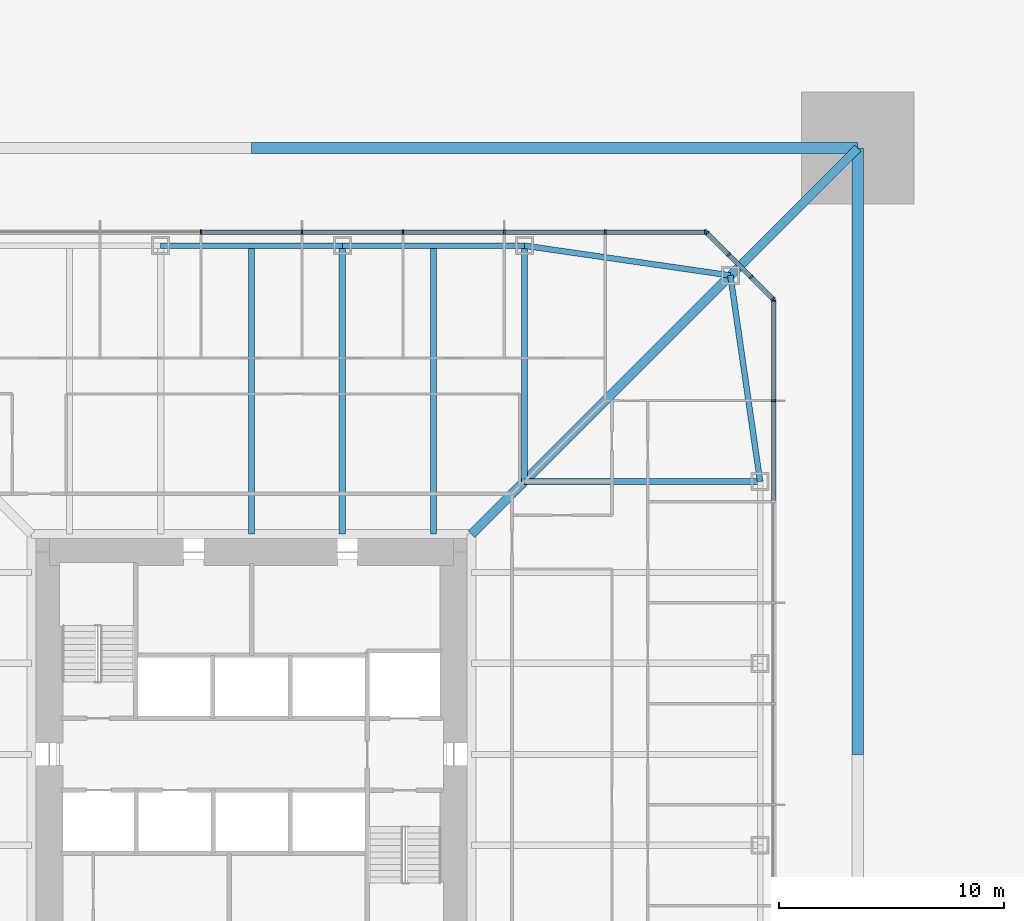
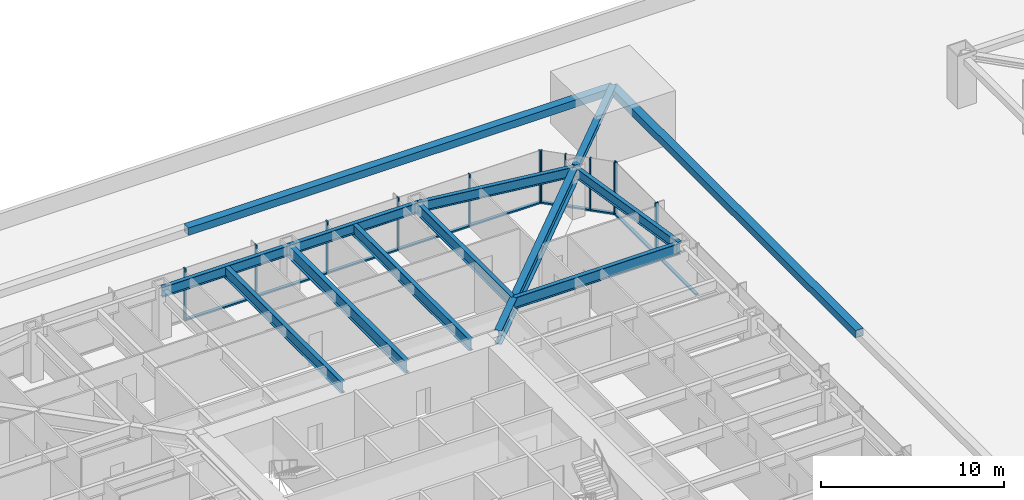
# One storey, part 8 of 31: 25 members, 10 beams, 3 elements without a shape of their own.
"""IFC4 building model written with IfcOpenShell, lengths in metres."""

from ifc_helpers import new_model, si_unit, direction, frame, origin, origin_2d, place, context, subcontext, project, spatial, rectangle, hollow_rectangle, i_section, extrude, material, material_profile, profile_set, type_object, element, aggregate, save


model = new_model("IFC4")

# Units and contexts
model_context = context("Model", 3, precision=1e-05, world=origin(), true_north=direction((0.0, 1.0)))
body_context = subcontext(model_context, "Body", "Model", "MODEL_VIEW")
ifc_project = project(units=[si_unit("LENGTHUNIT", "METRE"), si_unit("AREAUNIT", "SQUARE_METRE"), si_unit("VOLUMEUNIT", "CUBIC_METRE"), si_unit("PLANEANGLEUNIT", "RADIAN"), si_unit("MASSUNIT", "GRAM", prefix="KILO")], contexts=[model_context])

# Site, building, storey
site_placement = place(None, origin())
site = spatial("IfcSite", under=ifc_project, at=site_placement, CompositionType="ELEMENT")
building_placement = place(site_placement, origin())
building = spatial("IfcBuilding", under=site, at=building_placement, Name="Iwan Alto Co-Living Towers", CompositionType="ELEMENT")
storey_placement = place(building_placement, frame((0.0, 0.0, 15.0)))
storey = spatial("IfcBuildingStorey", under=building, at=storey_placement, Name="L03", CompositionType="ELEMENT", Elevation=15.0)

# Curtain wall, members
ifc_material_1 = material(Name="Bronze aluminium unitised frame", Category="aluminium")
curtain_wall_type_1 = type_object("IfcCurtainWallType", Name="CURTAIN WALL CW-A", PredefinedType="NOTDEFINED", material=ifc_material_1)
curtain_wall_1_placement = place(storey_placement, origin())
curtain_wall_1 = element("IfcCurtainWall", 1, at=curtain_wall_1_placement, inside=storey, type_object=curtain_wall_type_1, Name="T1 curtain wall E L03", PredefinedType="NOTDEFINED")
ifc_material_2 = material(Name="Aluminium 6063-T6 bronze anodised", Category="aluminium")
ifc_material_profile_1 = material_profile(ifc_material_2, rectangle(XDim=0.199951171875, YDim=0.080078125, at=origin_2d()), Name="AL 80X200")
ifc_profile_set_1 = profile_set([ifc_material_profile_1], Name="Aluminium 6063-T6 bronze anodised")
member_type_1 = type_object("IfcMemberType", Name="CW-A MULLION 80X200", PredefinedType="MULLION", material=ifc_profile_set_1)
member_1_placement = place(storey_placement, frame((23.25, 15.75, 0.0), z_axis=(0.0, 0.0, 1.0), x_axis=(-1.0, 0.0, 0.0)))
member_1 = element("IfcMember", 2, at=member_1_placement, type_object=member_type_1, Name="CW-A mullion 9", PredefinedType="MULLION", context=body_context, shape_type="SweptSolid", body=[
    extrude(rectangle(XDim=0.199951171875, YDim=0.080078125, at=origin_2d()), origin(), (0.0, 0.0, 1.0), 3.5),
])
member_2_placement = place(storey_placement, frame((23.25, 20.2099609375, 0.0), z_axis=(0.0, 0.0, 1.0), x_axis=(-1.0, 0.0, 0.0)))
member_2 = element("IfcMember", 3, at=member_2_placement, type_object=member_type_1, Name="CW-A mullion 10", PredefinedType="MULLION", context=body_context, shape_type="SweptSolid", body=[
    extrude(rectangle(XDim=0.199951171875, YDim=0.080078125, at=origin_2d()), origin(), (0.0, 0.0, 1.0), 3.5),
])

curtain_wall_2_placement = place(storey_placement, origin())
curtain_wall_2 = element("IfcCurtainWall", 4, at=curtain_wall_2_placement, inside=storey, type_object=curtain_wall_type_1, Name="T1 curtain wall N L03", PredefinedType="NOTDEFINED")
member_3_placement = place(storey_placement, frame((20.2099609375, 23.25, 0.0), z_axis=(0.0, 0.0, 1.0), x_axis=(0.0, -1.0, 0.0)))
member_3 = element("IfcMember", 5, at=member_3_placement, type_object=member_type_1, Name="CW-A mullion 1", PredefinedType="MULLION", context=body_context, shape_type="SweptSolid", body=[
    extrude(rectangle(XDim=0.199951171875, YDim=0.080078125, at=origin_2d()), origin(), (0.0, 0.0, 1.0), 3.5),
])
member_4_placement = place(storey_placement, frame((15.75, 23.25, 0.0), z_axis=(0.0, 0.0, 1.0), x_axis=(0.0, -1.0, 0.0)))
member_4 = element("IfcMember", 6, at=member_4_placement, type_object=member_type_1, Name="CW-A mullion 2", PredefinedType="MULLION", context=body_context, shape_type="SweptSolid", body=[
    extrude(rectangle(XDim=0.199951171875, YDim=0.080078125, at=origin_2d()), origin(), (0.0, 0.0, 1.0), 3.5),
])
member_5_placement = place(storey_placement, frame((11.25, 23.25, 0.0), z_axis=(0.0, 0.0, 1.0), x_axis=(0.0, -1.0, 0.0)))
member_5 = element("IfcMember", 7, at=member_5_placement, type_object=member_type_1, Name="CW-A mullion 3", PredefinedType="MULLION", context=body_context, shape_type="SweptSolid", body=[
    extrude(rectangle(XDim=0.199951171875, YDim=0.080078125, at=origin_2d()), origin(), (0.0, 0.0, 1.0), 3.5),
])
member_6_placement = place(storey_placement, frame((6.75, 23.25, 0.0), z_axis=(0.0, 0.0, 1.0), x_axis=(0.0, -1.0, 0.0)))
member_6 = element("IfcMember", 8, at=member_6_placement, type_object=member_type_1, Name="CW-A mullion 4", PredefinedType="MULLION", context=body_context, shape_type="SweptSolid", body=[
    extrude(rectangle(XDim=0.199951171875, YDim=0.080078125, at=origin_2d()), origin(), (0.0, 0.0, 1.0), 3.5),
])
member_7_placement = place(storey_placement, frame((2.25, 23.25, 0.0), z_axis=(0.0, 0.0, 1.0), x_axis=(0.0, -1.0, 0.0)))
member_7 = element("IfcMember", 9, at=member_7_placement, type_object=member_type_1, Name="CW-A mullion 5", PredefinedType="MULLION", context=body_context, shape_type="SweptSolid", body=[
    extrude(rectangle(XDim=0.199951171875, YDim=0.080078125, at=origin_2d()), origin(), (0.0, 0.0, 1.0), 3.5),
])
member_8_placement = place(storey_placement, frame((-2.25, 23.25, 0.0), z_axis=(0.0, 0.0, 1.0), x_axis=(0.0, -1.0, 0.0)))
member_8 = element("IfcMember", 10, at=member_8_placement, type_object=member_type_1, Name="CW-A mullion 6", PredefinedType="MULLION", context=body_context, shape_type="SweptSolid", body=[
    extrude(rectangle(XDim=0.199951171875, YDim=0.080078125, at=origin_2d()), origin(), (0.0, 0.0, 1.0), 3.5),
])

# Member
ifc_material_3 = material(Name="Aluminium 6063-T6 bronze anodised", Category="aluminium")
ifc_material_profile_2 = material_profile(ifc_material_3, rectangle(XDim=0.199951171875, YDim=0.10009765625, at=origin_2d()), Name="AL 200X100")
ifc_profile_set_2 = profile_set([ifc_material_profile_2], Name="Aluminium 6063-T6 bronze anodised")
member_type_2 = type_object("IfcMemberType", Name="CW-A TRANSOM 200X100", PredefinedType="USERDEFINED", material=ifc_profile_set_2)
member_9_placement = place(storey_placement, frame((23.25, 11.2900390625, 0.050048828125), z_axis=(0.0, 1.0, 0.0), x_axis=(-1.0, 0.0, 0.0)))
member_9 = element("IfcMember", 11, at=member_9_placement, type_object=member_type_2, Name="CW-A transom 8.1", ObjectType="TRANSOM", PredefinedType="USERDEFINED", context=body_context, shape_type="SweptSolid", body=[
    extrude(rectangle(XDim=0.199951171875, YDim=0.10009765625, at=origin_2d()), origin(), (0.0, 0.0, 1.0), 4.419921875),
])

member_10_placement = place(storey_placement, frame((23.25, 15.7900390625, 0.050048828125), z_axis=(0.0, 1.0, 0.0), x_axis=(-1.0, 0.0, 0.0)))
member_10 = element("IfcMember", 12, at=member_10_placement, type_object=member_type_2, Name="CW-A transom 9.1", ObjectType="TRANSOM", PredefinedType="USERDEFINED", context=body_context, shape_type="SweptSolid", body=[
    extrude(rectangle(XDim=0.199951171875, YDim=0.10009765625, at=origin_2d()), origin(), (0.0, 0.0, 1.0), 4.3798828125),
])

aggregate(curtain_wall_1, [member_1, member_2, member_9, member_10])

member_11_placement = place(storey_placement, frame((20.169921875, 23.25, 0.050048828125), z_axis=(-1.0, 0.0, 0.0), x_axis=(0.0, -1.0, 0.0)))
member_11 = element("IfcMember", 13, at=member_11_placement, type_object=member_type_2, Name="CW-A transom 1.1", ObjectType="TRANSOM", PredefinedType="USERDEFINED", context=body_context, shape_type="SweptSolid", body=[
    extrude(rectangle(XDim=0.199951171875, YDim=0.10009765625, at=origin_2d()), origin(), (0.0, 0.0, 1.0), 4.3798828125),
])

member_12_placement = place(storey_placement, frame((15.7099609375, 23.25, 0.050048828125), z_axis=(-1.0, 0.0, 0.0), x_axis=(0.0, -1.0, 0.0)))
member_12 = element("IfcMember", 14, at=member_12_placement, type_object=member_type_2, Name="CW-A transom 2.1", ObjectType="TRANSOM", PredefinedType="USERDEFINED", context=body_context, shape_type="SweptSolid", body=[
    extrude(rectangle(XDim=0.199951171875, YDim=0.10009765625, at=origin_2d()), origin(), (0.0, 0.0, 1.0), 4.419921875),
])

member_13_placement = place(storey_placement, frame((11.2099609375, 23.25, 0.050048828125), z_axis=(-1.0, 0.0, 0.0), x_axis=(0.0, -1.0, 0.0)))
member_13 = element("IfcMember", 15, at=member_13_placement, type_object=member_type_2, Name="CW-A transom 3.1", ObjectType="TRANSOM", PredefinedType="USERDEFINED", context=body_context, shape_type="SweptSolid", body=[
    extrude(rectangle(XDim=0.199951171875, YDim=0.10009765625, at=origin_2d()), origin(), (0.0, 0.0, 1.0), 4.419921875),
])

member_14_placement = place(storey_placement, frame((6.7099609375, 23.25, 0.050048828125), z_axis=(-1.0, 0.0, 0.0), x_axis=(0.0, -1.0, 0.0)))
member_14 = element("IfcMember", 16, at=member_14_placement, type_object=member_type_2, Name="CW-A transom 4.1", ObjectType="TRANSOM", PredefinedType="USERDEFINED", context=body_context, shape_type="SweptSolid", body=[
    extrude(rectangle(XDim=0.199951171875, YDim=0.10009765625, at=origin_2d()), origin(), (0.0, 0.0, 1.0), 4.419921875),
])

member_15_placement = place(storey_placement, frame((2.2099609375, 23.25, 0.050048828125), z_axis=(-1.0, 0.0, 0.0), x_axis=(0.0, -1.0, 0.0)))
member_15 = element("IfcMember", 17, at=member_15_placement, type_object=member_type_2, Name="CW-A transom 5.1", ObjectType="TRANSOM", PredefinedType="USERDEFINED", context=body_context, shape_type="SweptSolid", body=[
    extrude(rectangle(XDim=0.199951171875, YDim=0.10009765625, at=origin_2d()), origin(), (0.0, 0.0, 1.0), 4.419921875),
])

aggregate(curtain_wall_2, [member_3, member_4, member_5, member_6, member_7, member_8, member_11, member_12, member_13, member_14, member_15])

# Curtain wall, members
ifc_material_4 = material(Name="Bronze aluminium unitised frame", Category="aluminium")
curtain_wall_type_2 = type_object("IfcCurtainWallType", Name="CURTAIN WALL CW-B", PredefinedType="NOTDEFINED", material=ifc_material_4)
curtain_wall_3_placement = place(storey_placement, origin())
curtain_wall_3 = element("IfcCurtainWall", 18, at=curtain_wall_3_placement, inside=storey, type_object=curtain_wall_type_2, Name="T1 chamfer curtain wall NE L03", PredefinedType="NOTDEFINED")
ifc_material_5 = material(Name="Aluminium 6063-T6 bronze anodised", Category="aluminium")
ifc_material_profile_3 = material_profile(ifc_material_5, rectangle(XDim=0.199951171875, YDim=0.080078125, at=origin_2d()), Name="AL 80X200")
ifc_profile_set_3 = profile_set([ifc_material_profile_3], Name="Aluminium 6063-T6 bronze anodised")
member_type_3 = type_object("IfcMemberType", Name="CW-B MULLION 80X200", PredefinedType="MULLION", material=ifc_profile_set_3)
member_16_placement = place(storey_placement, frame((23.2216796875, 20.2783203125, 0.0), z_axis=(0.0, 0.0, 1.0), x_axis=(-0.707106781187, -0.707106781187, 0.0)))
member_16 = element("IfcMember", 19, at=member_16_placement, type_object=member_type_3, Name="CW-B mullion 1", PredefinedType="MULLION", context=body_context, shape_type="SweptSolid", body=[
    extrude(rectangle(XDim=0.199951171875, YDim=0.080078125, at=origin_2d()), origin(), (0.0, 0.0, 1.0), 3.5),
])
member_17_placement = place(storey_placement, frame((22.25, 21.25, 0.0), z_axis=(0.0, 0.0, 1.0), x_axis=(-0.707106781187, -0.707106781187, 0.0)))
member_17 = element("IfcMember", 20, at=member_17_placement, type_object=member_type_3, Name="CW-B mullion 2", PredefinedType="MULLION", context=body_context, shape_type="SweptSolid", body=[
    extrude(rectangle(XDim=0.199951171875, YDim=0.080078125, at=origin_2d()), origin(), (0.0, 0.0, 1.0), 3.5),
])
member_18_placement = place(storey_placement, frame((21.25, 22.25, 0.0), z_axis=(0.0, 0.0, 1.0), x_axis=(-0.707106781187, -0.707106781187, 0.0)))
member_18 = element("IfcMember", 21, at=member_18_placement, type_object=member_type_3, Name="CW-B mullion 3", PredefinedType="MULLION", context=body_context, shape_type="SweptSolid", body=[
    extrude(rectangle(XDim=0.199951171875, YDim=0.080078125, at=origin_2d()), origin(), (0.0, 0.0, 1.0), 3.5),
])
member_19_placement = place(storey_placement, frame((20.2783203125, 23.2216796875, 0.0), z_axis=(0.0, 0.0, 1.0), x_axis=(-0.707106781187, -0.707106781187, 0.0)))
member_19 = element("IfcMember", 22, at=member_19_placement, type_object=member_type_3, Name="CW-B mullion 4", PredefinedType="MULLION", context=body_context, shape_type="SweptSolid", body=[
    extrude(rectangle(XDim=0.199951171875, YDim=0.080078125, at=origin_2d()), origin(), (0.0, 0.0, 1.0), 3.5),
])
ifc_material_6 = material(Name="Aluminium 6063-T6 bronze anodised", Category="aluminium")
ifc_material_profile_4 = material_profile(ifc_material_6, rectangle(XDim=0.199951171875, YDim=0.10009765625, at=origin_2d()), Name="AL 200X100")
ifc_profile_set_4 = profile_set([ifc_material_profile_4], Name="Aluminium 6063-T6 bronze anodised")
member_type_4 = type_object("IfcMemberType", Name="CW-B TRANSOM 200X100", PredefinedType="USERDEFINED", material=ifc_profile_set_4)
member_20_placement = place(storey_placement, frame((23.193359375, 20.306640625, 0.050048828125), z_axis=(-0.707106781187, 0.707106781187, 0.0), x_axis=(-0.707106781187, -0.707106781187, 0.0)))
member_20 = element("IfcMember", 23, at=member_20_placement, type_object=member_type_4, Name="CW-B transom 1.1", ObjectType="TRANSOM", PredefinedType="USERDEFINED", context=body_context, shape_type="SweptSolid", body=[
    extrude(rectangle(XDim=0.199951171875, YDim=0.10009765625, at=origin_2d()), origin(), (0.0, 0.0, 1.0), 1.2939453125),
])
member_21_placement = place(storey_placement, frame((22.2216796875, 21.2783203125, 0.050048828125), z_axis=(-0.707106781187, 0.707106781187, 0.0), x_axis=(-0.707106781187, -0.707106781187, 0.0)))
member_21 = element("IfcMember", 24, at=member_21_placement, type_object=member_type_4, Name="CW-B transom 2.1", ObjectType="TRANSOM", PredefinedType="USERDEFINED", context=body_context, shape_type="SweptSolid", body=[
    extrude(rectangle(XDim=0.199951171875, YDim=0.10009765625, at=origin_2d()), origin(), (0.0, 0.0, 1.0), 1.334228515625),
])
member_22_placement = place(storey_placement, frame((21.2216796875, 22.2783203125, 0.050048828125), z_axis=(-0.707106781187, 0.707106781187, 0.0), x_axis=(-0.707106781187, -0.707106781187, 0.0)))
member_22 = element("IfcMember", 25, at=member_22_placement, type_object=member_type_4, Name="CW-B transom 3.1", ObjectType="TRANSOM", PredefinedType="USERDEFINED", context=body_context, shape_type="SweptSolid", body=[
    extrude(rectangle(XDim=0.199951171875, YDim=0.10009765625, at=origin_2d()), origin(), (0.0, 0.0, 1.0), 1.2939453125),
])
aggregate(curtain_wall_3, [member_16, member_17, member_18, member_19, member_20, member_21, member_22])

# Beams
ifc_material_7 = material(Name="Steel ASTM A992 Gr 50", Category="steel")
ifc_material_profile_5 = material_profile(ifc_material_7, i_section(OverallWidth=0.419189453125, OverallDepth=0.927001953125, WebThickness=0.019287109375, FlangeThickness=0.031982421875, at=origin_2d()), Name="W36X231")
ifc_profile_set_5 = profile_set([ifc_material_profile_5], Name="Steel ASTM A992 Gr 50")
beam_type_1 = type_object("IfcBeamType", Name="T1 CORNER GIRDER W36X231", PredefinedType="BEAM", material=ifc_profile_set_5)
beam_1_placement = place(storey_placement, frame((21.32568359375, 21.32568359375, 2.806396484375), z_axis=(-0.707106781187, -0.707106781187, 0.0), x_axis=(0.707106781187, -0.707106781187, 0.0)))
element("IfcBeam", 26, at=beam_1_placement, inside=storey, type_object=beam_type_1, Name="T1 corner girder CNE L04", PredefinedType="BEAM", context=body_context, shape_type="SweptSolid", body=[
    extrude(i_section(OverallWidth=0.419189453125, OverallDepth=0.927001953125, WebThickness=0.019287109375, FlangeThickness=0.031982421875, at=origin_2d()), origin(), (0.0, 0.0, 1.0), 16.296875),
])
ifc_material_8 = material(Name="Steel ASTM A992 Gr 50", Category="steel")
ifc_material_profile_6 = material_profile(ifc_material_8, i_section(OverallWidth=0.25390625, OverallDepth=0.683349609375, WebThickness=0.012451171875, FlangeThickness=0.018798828125, at=origin_2d()), Name="W27X94")
ifc_profile_set_6 = profile_set([ifc_material_profile_6], Name="Steel ASTM A992 Gr 50")
beam_type_2 = type_object("IfcBeamType", Name="T1 EDGE BEAM W27X94", PredefinedType="BEAM", material=ifc_profile_set_6)
for number, where, z_axis, x_axis, name in (
    (27, (22.64990234375, 12.14990234375, 2.928466796875), (-0.142836940589, 0.989746234347, 0.0), (-0.989746234347, -0.142836940589, 0.0), "T1 edge beam E4 L04"),
    (28, (21.32568359375, 21.32568359375, 2.928466796875), (-0.989746234347, 0.142836940589, 0.0), (-0.142836940589, -0.989746234347, 0.0), "T1 edge beam CNE L04"),
):
    element("IfcBeam", number, at=place(storey_placement, frame(where, z_axis=z_axis, x_axis=x_axis)), inside=storey, type_object=beam_type_2, Name=name, PredefinedType="BEAM", context=body_context, shape_type="SweptSolid", body=[
        extrude(i_section(OverallWidth=0.25390625, OverallDepth=0.683349609375, WebThickness=0.012451171875, FlangeThickness=0.018798828125, at=origin_2d()), origin(), (0.0, 0.0, 1.0), 9.270751953125),
    ])
beam_2_placement = place(storey_placement, frame((12.14990234375, 22.64990234375, 2.928466796875), z_axis=(-1.0, 0.0, 0.0), x_axis=(0.0, -1.0, 0.0)))
element("IfcBeam", 29, at=beam_2_placement, inside=storey, type_object=beam_type_2, Name="T1 edge beam N1 L04", PredefinedType="BEAM", context=body_context, shape_type="SweptSolid", body=[
    extrude(i_section(OverallWidth=0.25390625, OverallDepth=0.683349609375, WebThickness=0.012451171875, FlangeThickness=0.018798828125, at=origin_2d()), origin(), (0.0, 0.0, 1.0), 8.099853515625),
])
beam_3_placement = place(storey_placement, frame((4.050048828125, 22.64990234375, 2.928466796875), z_axis=(-1.0, 0.0, 0.0), x_axis=(0.0, -1.0, 0.0)))
element("IfcBeam", 30, at=beam_3_placement, inside=storey, type_object=beam_type_2, Name="T1 edge beam N2 L04", PredefinedType="BEAM", context=body_context, shape_type="SweptSolid", body=[
    extrude(i_section(OverallWidth=0.25390625, OverallDepth=0.683349609375, WebThickness=0.012451171875, FlangeThickness=0.018798828125, at=origin_2d()), origin(), (0.0, 0.0, 1.0), 8.10009765625),
])

# Members
ifc_material_9 = material(Name="Steel ASTM A992 Gr 50", Category="steel")
ifc_material_profile_7 = material_profile(ifc_material_9, i_section(OverallWidth=0.393798828125, OverallDepth=0.3759765625, WebThickness=0.017333984375, FlangeThickness=0.027587890625, at=origin_2d()), Name="W14X145")
ifc_profile_set_7 = profile_set([ifc_material_profile_7], Name="Steel ASTM A992 Gr 50")
member_type_5 = type_object("IfcMemberType", Name="T1 MEGA COLUMN FLOOR TIE W14X145", PredefinedType="STRUT", material=ifc_profile_set_7)
member_23_placement = place(storey_placement, frame((27.0, 27.0, 3.08203125), z_axis=(-0.707106781187, -0.707106781187, 0.0), x_axis=(0.707106781187, -0.707106781187, 0.0)))
element("IfcMember", 31, at=member_23_placement, inside=storey, type_object=member_type_5, Name="T1 mega column floor tie NE L04", PredefinedType="STRUT", context=body_context, shape_type="SweptSolid", body=[
    extrude(i_section(OverallWidth=0.393798828125, OverallDepth=0.3759765625, WebThickness=0.017333984375, FlangeThickness=0.027587890625, at=origin_2d()), origin(), (0.0, 0.0, 1.0), 8.024658203125),
])
ifc_material_10 = material(Name="Steel ASTM A572 Gr 50", Category="steel")
ifc_material_profile_8 = material_profile(ifc_material_10, hollow_rectangle(XDim=0.5, YDim=0.5, WallThickness=0.031982421875, at=origin_2d()), Name="BOX 500X500X32")
ifc_profile_set_8 = profile_set([ifc_material_profile_8], Name="Steel ASTM A572 Gr 50")
member_type_6 = type_object("IfcMemberType", Name="T1 MEGA TIE BOX 500X500X32", PredefinedType="STRUT", material=ifc_profile_set_8)
for number, where, z_axis, x_axis, name in (
    (32, (27.0, 0.0, 3.0), (0.0, 1.0, 0.0), (-1.0, 0.0, 0.0), "T1 mega tie Z1A E 2"),
    (33, (27.0, 27.0, 3.0), (-1.0, 0.0, 0.0), (0.0, -1.0, 0.0), "T1 mega tie Z1A N 1"),
):
    element("IfcMember", number, at=place(storey_placement, frame(where, z_axis=z_axis, x_axis=x_axis)), inside=storey, type_object=member_type_6, Name=name, PredefinedType="STRUT", context=body_context, shape_type="SweptSolid", body=[
        extrude(hollow_rectangle(XDim=0.5, YDim=0.5, WallThickness=0.031982421875, at=origin_2d()), origin(), (0.0, 0.0, 1.0), 27.0),
    ])

# Beams
ifc_material_11 = material(Name="Steel ASTM A992 Gr 50", Category="steel")
ifc_material_profile_9 = material_profile(ifc_material_11, i_section(OverallWidth=0.2666015625, OverallDepth=0.761962890625, WebThickness=0.014404296875, FlangeThickness=0.021484375, at=origin_2d()), Name="W30X116")
ifc_profile_set_9 = profile_set([ifc_material_profile_9], Name="Steel ASTM A992 Gr 50")
beam_type_3 = type_object("IfcBeamType", Name="T1 RADIAL BEAM W30X116", PredefinedType="BEAM", material=ifc_profile_set_9)
for number, where, z_axis, x_axis, name in (
    (34, (22.64990234375, 12.14990234375, 2.888916015625), (-1.0, 0.0, 0.0), (0.0, -1.0, 0.0), "T1 radial beam E4 L04"),
    (35, (12.14990234375, 22.64990234375, 2.888916015625), (0.0, -1.0, 0.0), (1.0, 0.0, 0.0), "T1 radial beam N1 L04"),
):
    element("IfcBeam", number, at=place(storey_placement, frame(where, z_axis=z_axis, x_axis=x_axis)), inside=storey, type_object=beam_type_3, Name=name, PredefinedType="BEAM", context=body_context, shape_type="SweptSolid", body=[
        extrude(i_section(OverallWidth=0.2666015625, OverallDepth=0.761962890625, WebThickness=0.014404296875, FlangeThickness=0.021484375, at=origin_2d()), origin(), (0.0, 0.0, 1.0), 10.5),
    ])
ifc_material_12 = material(Name="Steel ASTM A992 Gr 50", Category="steel")
ifc_material_profile_10 = material_profile(ifc_material_12, i_section(OverallWidth=0.2919921875, OverallDepth=0.8408203125, WebThickness=0.0146484375, FlangeThickness=0.021728515625, at=origin_2d()), Name="W33X130")
ifc_profile_set_10 = profile_set([ifc_material_profile_10], Name="Steel ASTM A992 Gr 50")
beam_type_4 = type_object("IfcBeamType", Name="T1 RADIAL BEAM W33X130", PredefinedType="BEAM", material=ifc_profile_set_10)
beam_4_placement = place(storey_placement, frame((4.050048828125, 22.64990234375, 2.849609375), z_axis=(0.0, -1.0, 0.0), x_axis=(1.0, 0.0, 0.0)))
element("IfcBeam", 36, at=beam_4_placement, inside=storey, type_object=beam_type_4, Name="T1 radial beam N2 L04", PredefinedType="BEAM", context=body_context, shape_type="SweptSolid", body=[
    extrude(i_section(OverallWidth=0.2919921875, OverallDepth=0.8408203125, WebThickness=0.0146484375, FlangeThickness=0.021728515625, at=origin_2d()), origin(), (0.0, 0.0, 1.0), 12.847900390625),
])
ifc_material_13 = material(Name="Steel ASTM A992 Gr 50", Category="steel")
ifc_material_profile_11 = material_profile(ifc_material_13, i_section(OverallWidth=0.2666015625, OverallDepth=0.761962890625, WebThickness=0.014404296875, FlangeThickness=0.021484375, at=origin_2d()), Name="W30X116")
ifc_profile_set_11 = profile_set([ifc_material_profile_11], Name="Steel ASTM A992 Gr 50")
beam_type_5 = type_object("IfcBeamType", Name="T1 SECONDARY BEAM W30X116", PredefinedType="JOIST", material=ifc_profile_set_11)
for number, where, z_axis, x_axis, name in (
    (37, (8.10009765625, 22.64990234375, 2.888916015625), (0.0, -1.0, 0.0), (1.0, 0.0, 0.0), "T1 secondary beam N1 L04"),
    (38, (0.0, 22.64990234375, 2.888916015625), (0.0, -1.0, 0.0), (1.0, 0.0, 0.0), "T1 secondary beam N2 L04"),
):
    element("IfcBeam", number, at=place(storey_placement, frame(where, z_axis=z_axis, x_axis=x_axis)), inside=storey, type_object=beam_type_5, Name=name, PredefinedType="JOIST", context=body_context, shape_type="SweptSolid", body=[
        extrude(i_section(OverallWidth=0.2666015625, OverallDepth=0.761962890625, WebThickness=0.014404296875, FlangeThickness=0.021484375, at=origin_2d()), origin(), (0.0, 0.0, 1.0), 12.847900390625),
    ])

save(model, "model.ifc")
